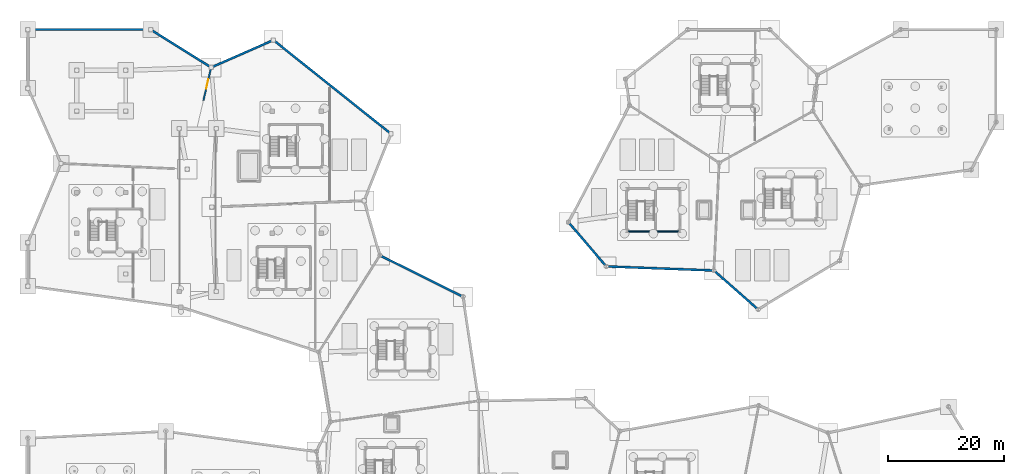
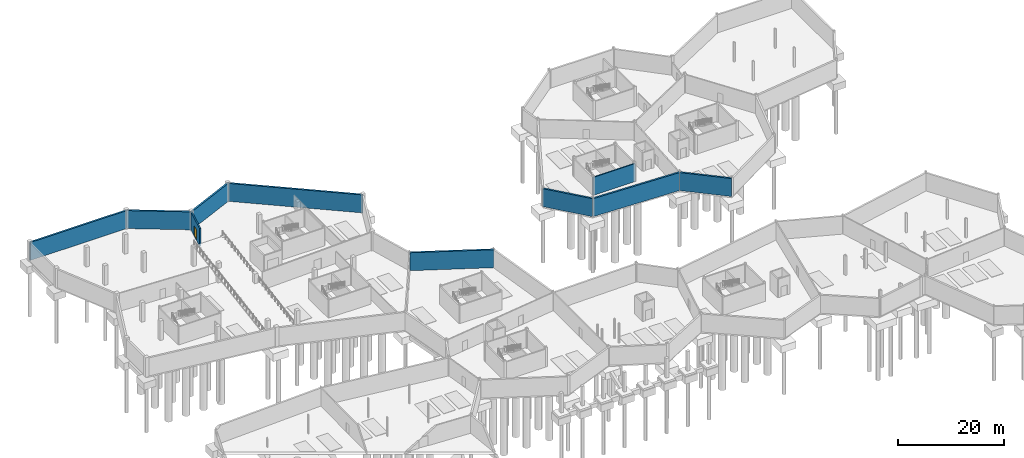
# One storey, part 29 of 37: 10 walls, 1 door, 1 opening.
"""IFC4 building model written with IfcOpenShell, lengths in metres."""

from ifc_helpers import new_model, si_unit, direction, frame, frame_2d, origin, place, context, subcontext, project, spatial, rectangle, extrude, material, layer, layer_set, type_object, element, fill, save


model = new_model("IFC4")

# Units and contexts
model_context = context("Model", 3, precision=1e-05, world=origin(), true_north=direction((0.0, 1.0)))
body_context = subcontext(model_context, "Body", "Model", "MODEL_VIEW")
ifc_project = project(units=[si_unit("LENGTHUNIT", "METRE"), si_unit("AREAUNIT", "SQUARE_METRE"), si_unit("VOLUMEUNIT", "CUBIC_METRE"), si_unit("PLANEANGLEUNIT", "RADIAN"), si_unit("MASSUNIT", "GRAM", prefix="KILO")], contexts=[model_context])

# Site, building, storey
site_placement = place(None, origin())
site = spatial("IfcSite", under=ifc_project, at=site_placement, CompositionType="ELEMENT")
building_placement = place(site_placement, origin())
building = spatial("IfcBuilding", under=site, at=building_placement, Name="Tameran Prism Museum", CompositionType="ELEMENT")
storey_placement = place(building_placement, frame((0.0, 0.0, -4.5)))
storey = spatial("IfcBuildingStorey", under=building, at=storey_placement, Name="B1", CompositionType="ELEMENT", Elevation=-4.5)

# Walls
ifc_material_1 = material(Name="Concrete N40 (40 MPa)", Category="concrete")
ifc_layer_1 = layer(ifc_material_1, 0.3798828125)
ifc_layer_set_1 = layer_set([ifc_layer_1])
wall_type_1 = type_object("IfcWallType", Name="EW-RET-380", PredefinedType="USERDEFINED", material=ifc_layer_set_1)
wall_1_placement = place(storey_placement, frame((99.39990234375, 71.300048828125, 0.0), z_axis=(0.0, 0.0, 1.0), x_axis=(0.999285157096, -0.037804428414, 0.0)))
element("IfcWall", 1, at=wall_1_placement, inside=storey, type_object=wall_type_1, Name="Basement Retaining Wall RW-001", ObjectType="RETAININGWALL", PredefinedType="USERDEFINED", context=body_context, shape_type="SweptSolid", body=[
    extrude(rectangle(XDim=18.46337890625, YDim=0.3798828125, at=frame_2d((9.231689453125, 0.0))), origin(), (0.0, 0.0, 1.0), 4.139892578125),
])
wall_2_placement = place(storey_placement, frame((92.89990234375, 78.89990234375, 0.0), z_axis=(0.0, 0.0, 1.0), x_axis=(0.649974737731, -0.75995581471, 0.0)))
element("IfcWall", 2, at=wall_2_placement, inside=storey, type_object=wall_type_1, Name="Basement Retaining Wall RW-003", ObjectType="RETAININGWALL", PredefinedType="USERDEFINED", context=body_context, shape_type="SweptSolid", body=[
    extrude(rectangle(XDim=10.00048828125, YDim=0.3798828125, at=frame_2d((5.000244140625, 0.0))), origin(), (0.0, 0.0, 1.0), 4.139892578125),
])
wall_3_placement = place(storey_placement, frame((117.93701171875, 70.56689453125, 0.0), z_axis=(0.0, 0.0, 1.0), x_axis=(0.750144471717, -0.661273976165, 0.0)))
element("IfcWall", 3, at=wall_3_placement, inside=storey, type_object=wall_type_1, Name="Basement Retaining Wall RW-004", ObjectType="RETAININGWALL", PredefinedType="USERDEFINED", context=body_context, shape_type="SweptSolid", body=[
    extrude(rectangle(XDim=10.08203125, YDim=0.3798828125, at=frame_2d((5.041015625, 0.0))), origin(), (0.0, 0.0, 1.0), 4.139892578125),
])
wall_4_placement = place(storey_placement, frame((74.800048828125, 66.10009765625, 0.0), z_axis=(0.0, 0.0, 1.0), x_axis=(-0.895672359878, 0.44471454187, 0.0)))
element("IfcWall", 4, at=wall_4_placement, inside=storey, type_object=wall_type_1, Name="Basement Retaining Wall RW-025", ObjectType="RETAININGWALL", PredefinedType="USERDEFINED", context=body_context, shape_type="SweptSolid", body=[
    extrude(rectangle(XDim=15.91552734375, YDim=0.3798828125, at=frame_2d((7.957763671875, 0.0))), origin(), (0.0, 0.0, 1.0), 4.139892578125),
])
wall_5_placement = place(storey_placement, frame((62.39990234375, 94.10009765625, 0.0), z_axis=(0.0, 0.0, 1.0), x_axis=(-0.78200261515, 0.623275147827, 0.0)))
element("IfcWall", 5, at=wall_5_placement, inside=storey, type_object=wall_type_1, Name="Basement Retaining Wall RW-053", ObjectType="RETAININGWALL", PredefinedType="USERDEFINED", context=body_context, shape_type="SweptSolid", body=[
    extrude(rectangle(XDim=25.8310546875, YDim=0.3798828125, at=frame_2d((12.91552734375, 0.0))), origin(), (0.0, 0.0, 1.0), 4.139892578125),
])
wall_6_placement = place(storey_placement, frame((42.199951171875, 110.199951171875, 0.0), z_axis=(0.0, 0.0, 1.0), x_axis=(-0.915563585263, -0.402173247918, 0.0)))
element("IfcWall", 6, at=wall_6_placement, inside=storey, type_object=wall_type_1, Name="Basement Retaining Wall RW-054", ObjectType="RETAININGWALL", PredefinedType="USERDEFINED", context=body_context, shape_type="SweptSolid", body=[
    extrude(rectangle(XDim=11.63671875, YDim=0.3798828125, at=frame_2d((5.818359375, 0.0))), origin(), (0.0, 0.0, 1.0), 4.139892578125),
])
wall_7_placement = place(storey_placement, frame((31.4580078125, 105.52587890625, 0.0), z_axis=(0.0, 0.0, 1.0), x_axis=(-0.847982583258, 0.530024092369, 0.0)))
element("IfcWall", 7, at=wall_7_placement, inside=storey, type_object=wall_type_1, Name="Basement Retaining Wall RW-058", ObjectType="RETAININGWALL", PredefinedType="USERDEFINED", context=body_context, shape_type="SweptSolid", body=[
    extrude(rectangle(XDim=12.21484375, YDim=0.3798828125, at=frame_2d((6.107421875, 0.0))), origin(), (0.0, 0.0, 1.0), 4.139892578125),
])
wall_8_placement = place(storey_placement, frame((21.10009765625, 112.0, 0.0), z_axis=(0.0, 0.0, 1.0), x_axis=(-1.0, 0.0, 0.0)))
element("IfcWall", 8, at=wall_8_placement, inside=storey, type_object=wall_type_1, Name="Basement Retaining Wall RW-059", ObjectType="RETAININGWALL", PredefinedType="USERDEFINED", context=body_context, shape_type="SweptSolid", body=[
    extrude(rectangle(XDim=21.10009765625, YDim=0.3798828125, at=frame_2d((10.550048828125, 0.0))), origin(), (0.0, 0.0, 1.0), 4.139892578125),
])

# Wall, opening, door
ifc_material_2 = material(Name="Concrete N40 (40 MPa)", Category="concrete")
ifc_layer_2 = layer(ifc_material_2, 0.27490234375)
ifc_layer_set_2 = layer_set([ifc_layer_2])
wall_type_2 = type_object("IfcWallType", Name="IW-CMP-275", PredefinedType="SOLIDWALL", material=ifc_layer_set_2)
wall_9_placement = place(storey_placement, frame((31.5, 105.5, 0.0), z_axis=(0.0, 0.0, 1.0), x_axis=(-0.228035044918, -0.973652924963, 0.0)))
wall_9 = element("IfcWall", 9, at=wall_9_placement, inside=storey, type_object=wall_type_2, Name="Compartment Wall IW-0021", PredefinedType="SOLIDWALL", context=body_context, shape_type="SweptSolid", body=[
    extrude(rectangle(XDim=5.854248046875, YDim=0.27490234375, at=frame_2d((2.92724609375, 0.0))), origin(), (0.0, 0.0, 1.0), 4.139892578125),
])
opening_placement = place(wall_9_placement, frame((2.126953125, 0.0, 0.0)))
opening = element("IfcOpeningElement", 10, at=opening_placement, cuts=wall_9, Name="Opening ID-0020", PredefinedType="OPENING", context=body_context, shape_type="SweptSolid", body=[
    extrude(rectangle(XDim=1.60009765625, YDim=2.449951171875, at=frame_2d((0.800048828125, 1.22509765625))), frame((0.0, 0.1474609375, 0.0), z_axis=(0.0, -1.0, 0.0), x_axis=(1.0, 0.0, 0.0)), (0.0, 0.0, 1.0), 0.294921875),
])
ifc_material_3 = material(Name="Fire-Rated Steel Door Leaf and Frame", Category="steel")
door_type = type_object("IfcDoorType", Name="DR-FD-240", OperationType="DOUBLE_DOOR_SINGLE_SWING", PredefinedType="DOOR", material=ifc_material_3)
door_placement = place(opening_placement, origin())
door = element("IfcDoor", 11, at=door_placement, inside=storey, type_object=door_type, Name="Compartment Door ID-0020", OperationType="DOUBLE_DOOR_SINGLE_SWING", OverallHeight=2.449951171875, OverallWidth=1.60009765625, PredefinedType="DOOR", context=body_context, shape_type="SweptSolid", body=[
    extrude(rectangle(XDim=1.60009765625, YDim=2.449951171875, at=frame_2d((0.800048828125, 1.22509765625))), frame((0.0, 0.02490234375, 0.0), z_axis=(0.0, -1.0, 0.0), x_axis=(1.0, 0.0, 0.0)), (0.0, 0.0, 1.0), 0.050048828125),
])
fill(opening, door)

# Wall
ifc_material_4 = material(Name="Concrete N40 (40 MPa)", Category="concrete")
ifc_layer_3 = layer(ifc_material_4, 0.25)
ifc_layer_set_3 = layer_set([ifc_layer_3])
wall_type_3 = type_object("IfcWallType", Name="IW-COR-250", PredefinedType="SHEAR", material=ifc_layer_set_3)
wall_10_placement = place(storey_placement, frame((112.10009765625, 77.300048828125, 0.0), z_axis=(0.0, 0.0, 1.0), x_axis=(-1.0, 0.0, 0.0)))
element("IfcWall", 12, at=wall_10_placement, inside=storey, type_object=wall_type_3, Name="Core Shear Wall CW-1-B1-S", PredefinedType="SHEAR", context=body_context, shape_type="SweptSolid", body=[
    extrude(rectangle(XDim=9.2001953125, YDim=0.25, at=frame_2d((4.60009765625, 0.0))), origin(), (0.0, 0.0, 1.0), 4.139892578125),
])

save(model, "model.ifc")
